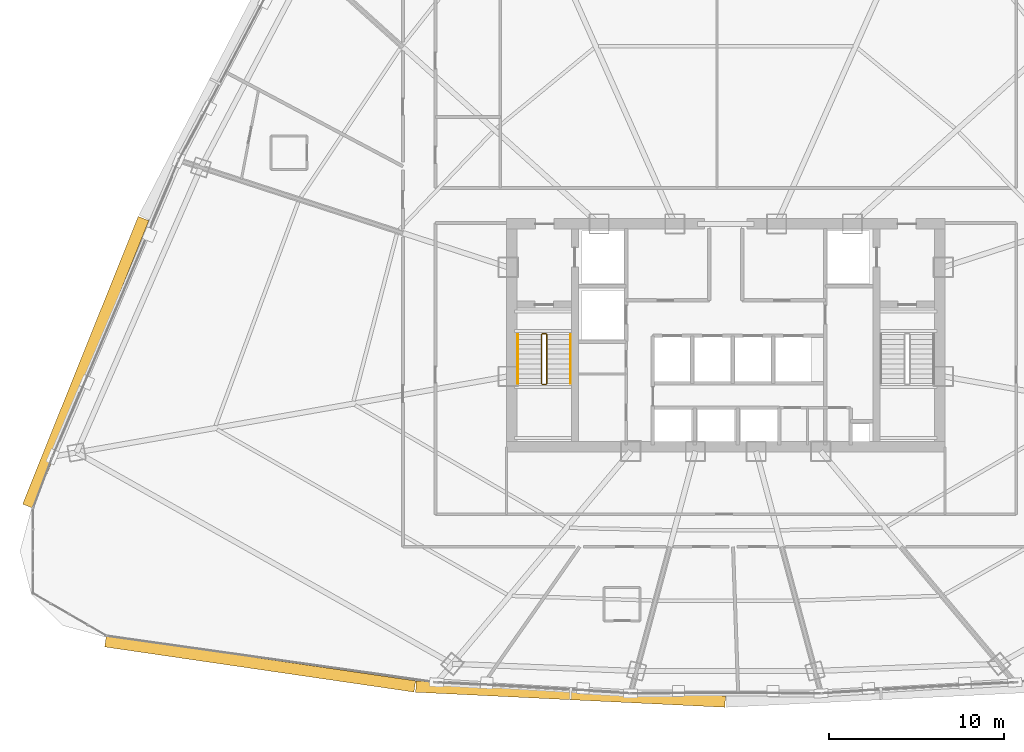
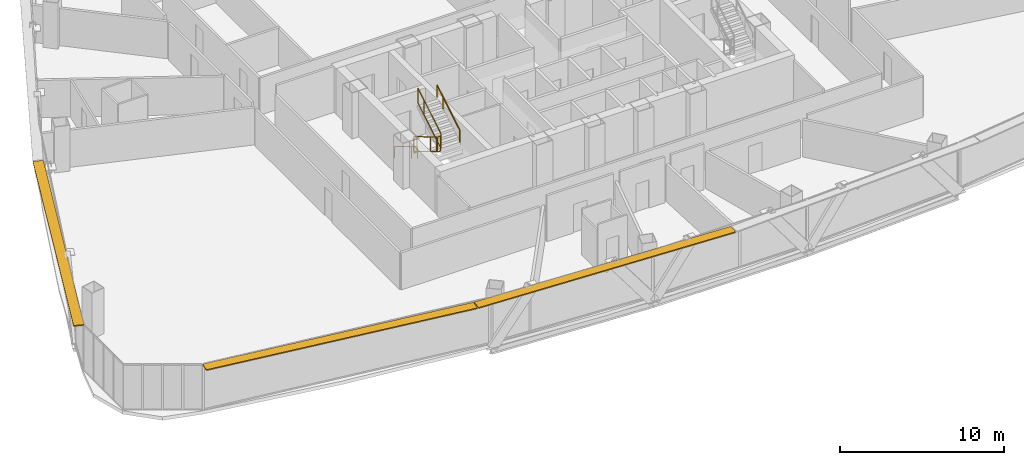
# One storey, part 37 of 40: 6 railings, 3 shading devices.
"""IFC4 building model written with IfcOpenShell, lengths in metres."""

import ifcopenshell
import ifcopenshell.guid

model = None  # the IFC model being written
_history = None  # IfcOwnerHistory: only IFC2X3 demands one
_inside = {}  # id of a spatial element -> (the spatial element, [elements in it])
_under = {}  # id of a project, library or spatial element -> (it, [spatial elements below it])
_declared = {}  # id of a project -> (the project, [libraries it declares])
_typed = {}  # id of a type object -> (the type object, [elements of that type])
_made_of = {}  # id of a material, layer set ... -> (it, [elements and type objects made of it])


def new_model(schema):
    """Start an empty IFC model of exactly this schema.

    Asked for "IFC4X3", IfcOpenShell would pick the latest addendum, in which some entities
    have other attributes; the version numbers below select the first issue.
    IFC2X3 requires an IfcOwnerHistory on every rooted entity: one is made here for all.
    """
    global model, _history
    if schema == "IFC4X3":
        model = ifcopenshell.file(schema_version=(4, 3, 0, 0))
    else:
        model = ifcopenshell.file(schema=schema)
    _inside.clear()
    _under.clear()
    _declared.clear()
    _typed.clear()
    _made_of.clear()
    _history = None
    if model.schema == "IFC2X3":
        org = make("IfcOrganization", Name="unknown")
        user = make(
            "IfcPersonAndOrganization",
            ThePerson=make("IfcPerson", FamilyName="unknown"),
            TheOrganization=org,
        )
        app = make(
            "IfcApplication",
            ApplicationDeveloper=org,
            Version="unknown",
            ApplicationFullName="unknown",
            ApplicationIdentifier="unknown",
        )
        _history = make(
            "IfcOwnerHistory",
            OwningUser=user,
            OwningApplication=app,
            ChangeAction="ADDED",
            CreationDate=0,
        )
    return model


def make(cls, **values):
    """One entity of the class cls with the attributes given. An attribute that is None is left unset."""
    return model.create_entity(
        cls, **{name: value for name, value in values.items() if value is not None}
    )


def rooted(cls, **values):
    """An entity with a GlobalId (a new one), such as an element, a storey or a relation."""
    return make(cls, GlobalId=ifcopenshell.guid.new(), OwnerHistory=_history, **values)


def si_unit(unit_type, name, prefix=None):
    """IfcSIUnit, for example si_unit("LENGTHUNIT", "METRE", prefix="MILLI")."""
    return make("IfcSIUnit", UnitType=unit_type, Prefix=prefix, Name=name)


def assignment(units):
    """IfcUnitAssignment: the units of a project."""
    return None if units is None else make("IfcUnitAssignment", Units=units)


def point(xyz):
    """IfcCartesianPoint."""
    return None if xyz is None else make("IfcCartesianPoint", Coordinates=xyz)


def direction(xyz):
    """IfcDirection."""
    return None if xyz is None else make("IfcDirection", DirectionRatios=xyz)


def frame(location, z_axis=None, x_axis=None):
    """IfcAxis2Placement3D, a coordinate frame: its origin and axes. An axis left out is left unset."""
    return make(
        "IfcAxis2Placement3D",
        Location=point(location),
        Axis=direction(z_axis),
        RefDirection=direction(x_axis),
    )


def frame_2d(location, x_axis=None):
    """IfcAxis2Placement2D, a coordinate frame in the plane: its origin and x axis."""
    return make(
        "IfcAxis2Placement2D", Location=point(location), RefDirection=direction(x_axis)
    )


def origin():
    """The frame at (0, 0, 0) with its axes left unset."""
    return frame((0.0, 0.0, 0.0))


def origin_2d():
    """The frame at (0, 0) in the plane with its x axis left unset."""
    return frame_2d((0.0, 0.0))


def place(relative_to, where):
    """IfcLocalPlacement: puts the frame where relative to a parent placement (None: the world)."""
    return make(
        "IfcLocalPlacement", PlacementRelTo=relative_to, RelativePlacement=where
    )


def context(
    kind, dimensions, precision=None, world=None, true_north=None, identifier=None
):
    """IfcGeometricRepresentationContext, for example the 3D "Model" context."""
    return make(
        "IfcGeometricRepresentationContext",
        ContextIdentifier=identifier,
        ContextType=kind,
        CoordinateSpaceDimension=dimensions,
        Precision=precision,
        WorldCoordinateSystem=world,
        TrueNorth=true_north,
    )


def subcontext(parent, identifier, kind, view, scale=None):
    """IfcGeometricRepresentationSubContext, for example "Body" below "Model"."""
    return make(
        "IfcGeometricRepresentationSubContext",
        ContextIdentifier=identifier,
        ContextType=kind,
        ParentContext=parent,
        TargetScale=scale,
        TargetView=view,
    )


def project(units=None, contexts=None):
    """IfcProject with its units and contexts."""
    return rooted(
        "IfcProject",
        Name="project",
        RepresentationContexts=contexts,
        UnitsInContext=assignment(units),
    )


def spatial(cls, under=None, at=None, **own):
    """A site, building, storey or space (cls), placed at a placement, below another one or the project."""
    s = rooted(cls, ObjectPlacement=at, **own)
    if under is not None:
        _under.setdefault(under.id(), (under, []))[1].append(s)
    return s


def profile(cls, at=None, kind="AREA", **sizes):
    """A parametric profile (cls). Its sizes go by their IFC names, for example OverallWidth=200.0."""
    return make(cls, ProfileType=kind, Position=at, **sizes)


def rectangle(**sizes):
    """IfcRectangleProfileDef."""
    return profile("IfcRectangleProfileDef", **sizes)


def extrude(swept, where, along, depth):
    """IfcExtrudedAreaSolid: the profile swept, set in the frame where, extruded along a direction by depth."""
    return make(
        "IfcExtrudedAreaSolid",
        SweptArea=swept,
        Position=where,
        ExtrudedDirection=direction(along),
        Depth=depth,
    )


def shape(context_of_items, identifier, shape_type, items):
    """IfcShapeRepresentation: the items that make up one representation, for example the "Body"."""
    return make(
        "IfcShapeRepresentation",
        ContextOfItems=context_of_items,
        RepresentationIdentifier=identifier,
        RepresentationType=shape_type,
        Items=items,
    )


def source(mapping_origin, context_of_items, identifier, shape_type, items):
    """IfcRepresentationMap: a shape defined once, which mapped items show again and again."""
    return make(
        "IfcRepresentationMap",
        MappingOrigin=mapping_origin,
        MappedRepresentation=shape(context_of_items, identifier, shape_type, items),
    )


def transform(
    local_origin,
    x_axis=None,
    y_axis=None,
    z_axis=None,
    scale=None,
    scale2=None,
    scale3=None,
    uniform=True,
):
    """IfcCartesianTransformationOperator3D, or its non-uniform kind. x_axis, y_axis, z_axis: its Axis1, 2, 3."""
    if uniform:
        return make(
            "IfcCartesianTransformationOperator3D",
            Axis1=direction(x_axis),
            Axis2=direction(y_axis),
            LocalOrigin=point(local_origin),
            Scale=scale,
            Axis3=direction(z_axis),
        )
    return make(
        "IfcCartesianTransformationOperator3DnonUniform",
        Axis1=direction(x_axis),
        Axis2=direction(y_axis),
        LocalOrigin=point(local_origin),
        Scale=scale,
        Axis3=direction(z_axis),
        Scale2=scale2,
        Scale3=scale3,
    )


def mapped(mapping_source, mapping_target):
    """IfcMappedItem: shows the shape of a source again, moved by a transform."""
    return make(
        "IfcMappedItem", MappingSource=mapping_source, MappingTarget=mapping_target
    )


def material(Name=None, Category=None):
    """IfcMaterial."""
    return make("IfcMaterial", Name=Name, Category=Category)


def layer(
    of_material, thickness, ventilated=None, Name=None, Category=None, Priority=None
):
    """IfcMaterialLayer: one layer of a wall or slab, of a material (None: an air gap)."""
    return make(
        "IfcMaterialLayer",
        Material=of_material,
        LayerThickness=thickness,
        IsVentilated=ventilated,
        Name=Name,
        Category=Category,
        Priority=Priority,
    )


def layer_set(layers, Name=None):
    """IfcMaterialLayerSet."""
    return make("IfcMaterialLayerSet", MaterialLayers=layers, LayerSetName=Name)


def made_of(thing, what):
    """Note that an element or type object is made of a material, layer set ...; save() writes the relation."""
    if what is not None:
        _made_of.setdefault(what.id(), (what, []))[1].append(thing)
    return thing


def type_object(cls, material=None, **own):
    """A type object (cls), such as IfcWallType, which elements share."""
    return made_of(rooted(cls, **own), material)


def element(
    cls,
    number,
    at=None,
    inside=None,
    cuts=None,
    type_object=None,
    material=None,
    context=None,
    identifier="Body",
    shape_type=None,
    held_by="IfcProductDefinitionShape",
    body=None,
    shapes=None,
    **own,
):
    """One element of the class cls, such as IfcWall. Its Tag is "e" and its number.

    at: its placement. inside: the storey or other place that contains it. cuts: it is an
    opening in that element (IfcRelVoidsElement). A single representation is given by context,
    identifier, shape_type and body (its items); several are given by shapes. held_by: the class
    of the entity that holds the representations. save() writes the other relations.
    """
    e = rooted(cls, Tag="e%d" % number, ObjectPlacement=at, **own)
    if body is not None:
        shapes = [shape(context, identifier, shape_type, body)]
    if shapes is not None:
        e.Representation = make(held_by, Representations=shapes)
    if inside is not None:
        _inside.setdefault(inside.id(), (inside, []))[1].append(e)
    if cuts is not None:
        rooted(
            "IfcRelVoidsElement", RelatingBuildingElement=cuts, RelatedOpeningElement=e
        )
    if type_object is not None:
        _typed.setdefault(type_object.id(), (type_object, []))[1].append(e)
    return made_of(e, material)


def aggregate(whole, parts):
    """IfcRelAggregates: a whole, such as a stair, and the parts it consists of."""
    return rooted("IfcRelAggregates", RelatingObject=whole, RelatedObjects=parts)


def save(model, path):
    """Write the relations noted so far, then the file.

    IfcRelAggregates (storeys below a building ...), IfcRelContainedInSpatialStructure (elements
    in a storey), IfcRelDefinesByType, IfcRelAssociatesMaterial and IfcRelDeclares: one each for
    every whole, place, type object, material and project.
    """
    for whole, parts in _under.values():
        aggregate(whole, parts)
    for where, things in _inside.values():
        rooted(
            "IfcRelContainedInSpatialStructure",
            RelatedElements=things,
            RelatingStructure=where,
        )
    for kind, things in _typed.values():
        rooted("IfcRelDefinesByType", RelatedObjects=things, RelatingType=kind)
    for what, things in _made_of.values():
        rooted("IfcRelAssociatesMaterial", RelatedObjects=things, RelatingMaterial=what)
    for by, libraries in _declared.values():
        rooted("IfcRelDeclares", RelatingContext=by, RelatedDefinitions=libraries)
    model.write(path)


model = new_model("IFC4")

# Units and contexts
model_context = context("Model", 3, precision=1e-05, world=origin(), true_north=direction((0.0, 1.0)))
body_context = subcontext(model_context, "Body", "Model", "MODEL_VIEW")
ifc_project = project(units=[si_unit("LENGTHUNIT", "METRE"), si_unit("AREAUNIT", "SQUARE_METRE"), si_unit("VOLUMEUNIT", "CUBIC_METRE"), si_unit("PLANEANGLEUNIT", "RADIAN"), si_unit("MASSUNIT", "GRAM", prefix="KILO"), si_unit("THERMODYNAMICTEMPERATUREUNIT", "KELVIN"), si_unit("POWERUNIT", "WATT")], contexts=[model_context])

# Site, building, storey
site_placement = place(None, origin())
site = spatial("IfcSite", under=ifc_project, at=site_placement, CompositionType="ELEMENT")
building_placement = place(site_placement, origin())
building = spatial("IfcBuilding", under=site, at=building_placement, Name="Yunzhuo Pagoda Commons", CompositionType="ELEMENT")
storey_placement = place(building_placement, frame((0.0, 0.0, 159.27001953125)))
storey = spatial("IfcBuildingStorey", under=building, at=storey_placement, Name="L40", CompositionType="ELEMENT", Elevation=159.27001953125)

# Railings
ifc_material = material(Name="Anodized aluminium 6063-T6", Category="aluminium")
railing_type_1 = type_object("IfcRailingType", Name="GR-ST1 Stair Well Guardrail 1150", PredefinedType="GUARDRAIL", material=ifc_material)
railing_1_placement = place(storey_placement, frame((37.5, 33.89990234375, 0.167236328125)))
element("IfcRailing", 1, at=railing_1_placement, inside=storey, type_object=railing_type_1, Name="L40 ST1 stair guard 1", PredefinedType="GUARDRAIL", context=body_context, shape_type="SweptSolid", body=[
    extrude(rectangle(XDim=0.048095703125, YDim=0.048095703125, at=origin_2d()), frame((0.0, 0.0, 1.1259765625), z_axis=(0.0, -0.858442565357, 0.512909701589), x_axis=(1.0, 0.0, 0.0)), (0.0, 0.0, 1.0), 3.261474609375),
    extrude(rectangle(XDim=0.048095703125, YDim=0.048095703125, at=origin_2d()), frame((0.0, 0.0, 0.02392578125), z_axis=(0.0, -0.858442565357, 0.512909701589), x_axis=(1.0, 0.0, 0.0)), (0.0, 0.0, 1.0), 3.261474609375),
    extrude(rectangle(XDim=0.0419921875, YDim=0.0419921875, at=origin_2d()), origin(), (0.0, 0.0, 1.0), 1.101806640625),
    extrude(rectangle(XDim=0.0419921875, YDim=0.0419921875, at=origin_2d()), frame((0.0, -2.060302734375, 1.23095703125)), (0.0, 0.0, 1.0), 1.101806640625),
    extrude(rectangle(XDim=0.0419921875, YDim=0.0419921875, at=origin_2d()), frame((0.0, -2.7998046875, 1.6728515625)), (0.0, 0.0, 1.0), 1.101806640625),
])
railing_2_placement = place(storey_placement, frame((37.550048828125, 31.050048828125, 1.840087890625)))
element("IfcRailing", 2, at=railing_2_placement, inside=storey, type_object=railing_type_1, Name="L40 ST1 stair guard 2", PredefinedType="GUARDRAIL", context=body_context, shape_type="SweptSolid", body=[
    extrude(rectangle(XDim=0.048095703125, YDim=0.048095703125, at=origin_2d()), frame((0.0, 0.0, 1.1259765625), z_axis=(1.0, 0.0, 0.0), x_axis=(0.0, 1.0, 0.0)), (0.0, 0.0, 1.0), 0.199951171875),
    extrude(rectangle(XDim=0.048095703125, YDim=0.048095703125, at=origin_2d()), frame((0.0, 0.0, 0.02392578125), z_axis=(1.0, 0.0, 0.0), x_axis=(0.0, 1.0, 0.0)), (0.0, 0.0, 1.0), 0.199951171875),
    extrude(rectangle(XDim=0.0419921875, YDim=0.0419921875, at=origin_2d()), origin(), (0.0, 0.0, 1.0), 1.101806640625),
    extrude(rectangle(XDim=0.0419921875, YDim=0.0419921875, at=origin_2d()), frame((0.199951171875, 0.0, 0.0)), (0.0, 0.0, 1.0), 1.101806640625),
])
railing_3_placement = place(storey_placement, frame((37.800048828125, 31.10009765625, 2.00732421875)))
element("IfcRailing", 3, at=railing_3_placement, inside=storey, type_object=railing_type_1, Name="L40 ST1 stair guard 3", PredefinedType="GUARDRAIL", context=body_context, shape_type="SweptSolid", body=[
    extrude(rectangle(XDim=0.048095703125, YDim=0.048095703125, at=origin_2d()), frame((0.0, 0.0, 1.1259765625), z_axis=(0.0, 0.858475523978, 0.512854535645), x_axis=(-1.0, 0.0, 0.0)), (0.0, 0.0, 1.0), 3.261474609375),
    extrude(rectangle(XDim=0.048095703125, YDim=0.048095703125, at=origin_2d()), frame((0.0, 0.0, 0.02392578125), z_axis=(0.0, 0.858475523978, 0.512854535645), x_axis=(-1.0, 0.0, 0.0)), (0.0, 0.0, 1.0), 3.261474609375),
    extrude(rectangle(XDim=0.0419921875, YDim=0.0419921875, at=origin_2d()), origin(), (0.0, 0.0, 1.0), 1.101806640625),
    extrude(rectangle(XDim=0.0419921875, YDim=0.0419921875, at=origin_2d()), frame((0.0, 2.060302734375, 1.23095703125)), (0.0, 0.0, 1.0), 1.101806640625),
    extrude(rectangle(XDim=0.0419921875, YDim=0.0419921875, at=origin_2d()), frame((0.0, 2.7998046875, 1.672607421875)), (0.0, 0.0, 1.0), 1.101806640625),
])
railing_4_placement = place(storey_placement, frame((37.550048828125, 33.949951171875, 0.0)))
element("IfcRailing", 4, at=railing_4_placement, inside=storey, type_object=railing_type_1, Name="L40 ST1 stair guard 4", PredefinedType="GUARDRAIL", context=body_context, shape_type="SweptSolid", body=[
    extrude(rectangle(XDim=0.048095703125, YDim=0.048095703125, at=origin_2d()), frame((0.0, 0.0, 1.1259765625), z_axis=(1.0, 0.0, 0.0), x_axis=(0.0, 1.0, 0.0)), (0.0, 0.0, 1.0), 0.199951171875),
    extrude(rectangle(XDim=0.048095703125, YDim=0.048095703125, at=origin_2d()), frame((0.0, 0.0, 0.02392578125), z_axis=(1.0, 0.0, 0.0), x_axis=(0.0, 1.0, 0.0)), (0.0, 0.0, 1.0), 0.199951171875),
    extrude(rectangle(XDim=0.0419921875, YDim=0.0419921875, at=origin_2d()), origin(), (0.0, 0.0, 1.0), 1.101806640625),
    extrude(rectangle(XDim=0.0419921875, YDim=0.0419921875, at=origin_2d()), frame((0.199951171875, 0.0, 0.0)), (0.0, 0.0, 1.0), 1.101806640625),
])
railing_type_2 = type_object("IfcRailingType", Name="HR-ST1 Stair Handrail 900", PredefinedType="HANDRAIL", material=ifc_material)
railing_5_placement = place(storey_placement, frame((36.14990234375, 33.89990234375, 0.167236328125)))
element("IfcRailing", 5, at=railing_5_placement, inside=storey, type_object=railing_type_2, Name="L40 ST1 stair handrail 1", PredefinedType="HANDRAIL", context=body_context, shape_type="SweptSolid", body=[
    extrude(rectangle(XDim=0.048095703125, YDim=0.048095703125, at=origin_2d()), frame((0.0, 0.0, 0.8759765625), z_axis=(0.0, -0.858442565357, 0.512909701589), x_axis=(1.0, 0.0, 0.0)), (0.0, 0.0, 1.0), 3.261474609375),
    extrude(rectangle(XDim=0.0419921875, YDim=0.0419921875, at=origin_2d()), origin(), (0.0, 0.0, 1.0), 0.851806640625),
    extrude(rectangle(XDim=0.0419921875, YDim=0.0419921875, at=origin_2d()), frame((0.0, -2.060302734375, 1.23095703125)), (0.0, 0.0, 1.0), 0.851806640625),
    extrude(rectangle(XDim=0.0419921875, YDim=0.0419921875, at=origin_2d()), frame((0.0, -2.7998046875, 1.6728515625)), (0.0, 0.0, 1.0), 0.851806640625),
])
railing_6_placement = place(storey_placement, frame((39.14990234375, 31.10009765625, 2.00732421875)))
element("IfcRailing", 6, at=railing_6_placement, inside=storey, type_object=railing_type_2, Name="L40 ST1 stair handrail 2", PredefinedType="HANDRAIL", context=body_context, shape_type="SweptSolid", body=[
    extrude(rectangle(XDim=0.048095703125, YDim=0.048095703125, at=origin_2d()), frame((0.0, 0.0, 0.8759765625), z_axis=(0.0, 0.858475523978, 0.512854535645), x_axis=(-1.0, 0.0, 0.0)), (0.0, 0.0, 1.0), 3.261474609375),
    extrude(rectangle(XDim=0.0419921875, YDim=0.0419921875, at=origin_2d()), origin(), (0.0, 0.0, 1.0), 0.851806640625),
    extrude(rectangle(XDim=0.0419921875, YDim=0.0419921875, at=origin_2d()), frame((0.0, 2.060302734375, 1.23095703125)), (0.0, 0.0, 1.0), 0.851806640625),
    extrude(rectangle(XDim=0.0419921875, YDim=0.0419921875, at=origin_2d()), frame((0.0, 2.7998046875, 1.672607421875)), (0.0, 0.0, 1.0), 0.851806640625),
])

# Shading devices
ifc_layer = layer(ifc_material, 0.080078125)
ifc_layer_set = layer_set([ifc_layer], Name="Anodized aluminium 6063-T6")
shading_device_type = type_object("IfcShadingDeviceType", Name="SH-SUN1 Pagoda Horizontal Sunshade Eave 650", PredefinedType="USERDEFINED", material=ifc_layer_set)
shared_shape_1 = source(origin(), body_context, "Body", "SweptSolid", [
    extrude(rectangle(XDim=17.81640625, YDim=0.64990234375, at=origin_2d()), origin(), (0.0, 0.0, 1.0), 0.080078125),
])
shading_device_1_placement = place(storey_placement, frame((21.461669921875, 15.126708984375, 3.33984375), z_axis=(0.0, 0.0, 1.0), x_axis=(0.989510666697, -0.144459823108, 0.0)))
element("IfcShadingDevice", 7, at=shading_device_1_placement, inside=storey, type_object=shading_device_type, Name="L40 horizontal pagoda sunshade eave F1.1", ObjectType="SUNSHADE", PredefinedType="USERDEFINED", context=body_context, shape_type="MappedRepresentation", body=[
    mapped(shared_shape_1, transform((0.0, 0.0, 0.0), scale=1.0)),
])
shared_shape_2 = source(origin(), body_context, "Body", "SweptSolid", [
    extrude(rectangle(XDim=17.64990234375, YDim=0.64990234375, at=origin_2d()), origin(), (0.0, 0.0, 1.0), 0.080078125),
])
shading_device_2_placement = place(storey_placement, frame((39.15380859375, 13.40478515625, 3.33984375), z_axis=(0.0, 0.0, 1.0), x_axis=(0.998818043775, -0.04860571396, 0.0)))
element("IfcShadingDevice", 8, at=shading_device_2_placement, inside=storey, type_object=shading_device_type, Name="L40 horizontal pagoda sunshade eave F1.2", ObjectType="SUNSHADE", PredefinedType="USERDEFINED", context=body_context, shape_type="MappedRepresentation", body=[
    mapped(shared_shape_2, transform((0.0, 0.0, 0.0), scale=1.0)),
])
shared_shape_3 = source(origin(), body_context, "Body", "SweptSolid", [
    extrude(rectangle(XDim=17.673095703125, YDim=0.64990234375, at=origin_2d()), origin(), (0.0, 0.0, 1.0), 0.080078125),
])
shading_device_3_placement = place(storey_placement, frame((11.521728515625, 32.31201171875, 3.33984375), z_axis=(0.0, 0.0, 1.0), x_axis=(-0.372987782576, -0.927836253899, 0.0)))
element("IfcShadingDevice", 9, at=shading_device_3_placement, inside=storey, type_object=shading_device_type, Name="L40 horizontal pagoda sunshade eave F3.4", ObjectType="SUNSHADE", PredefinedType="USERDEFINED", context=body_context, shape_type="MappedRepresentation", body=[
    mapped(shared_shape_3, transform((0.0, 0.0, 0.0), scale=1.0)),
])

save(model, "model.ifc")
